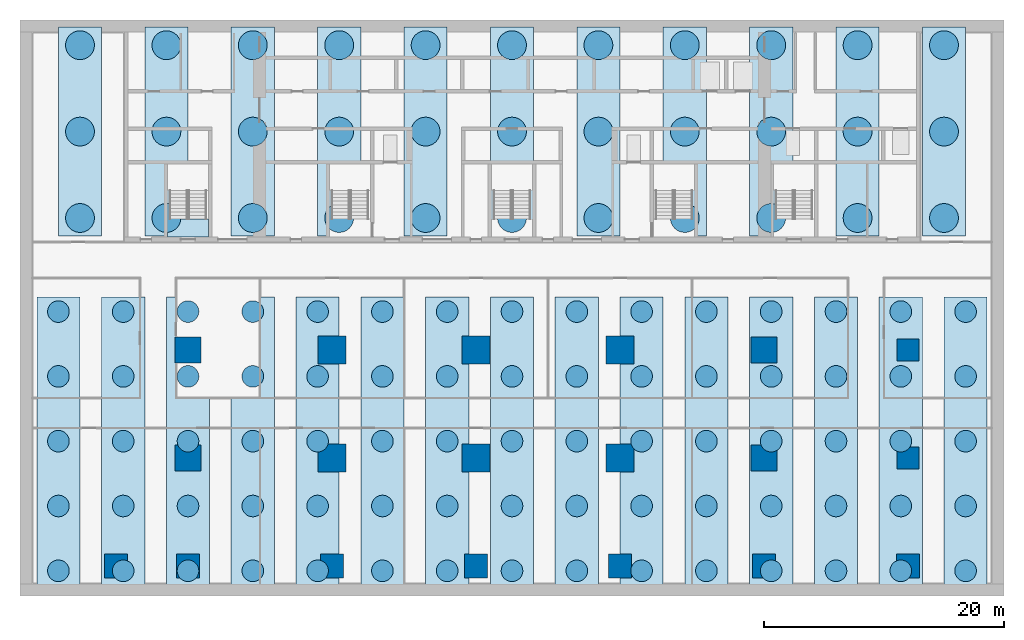
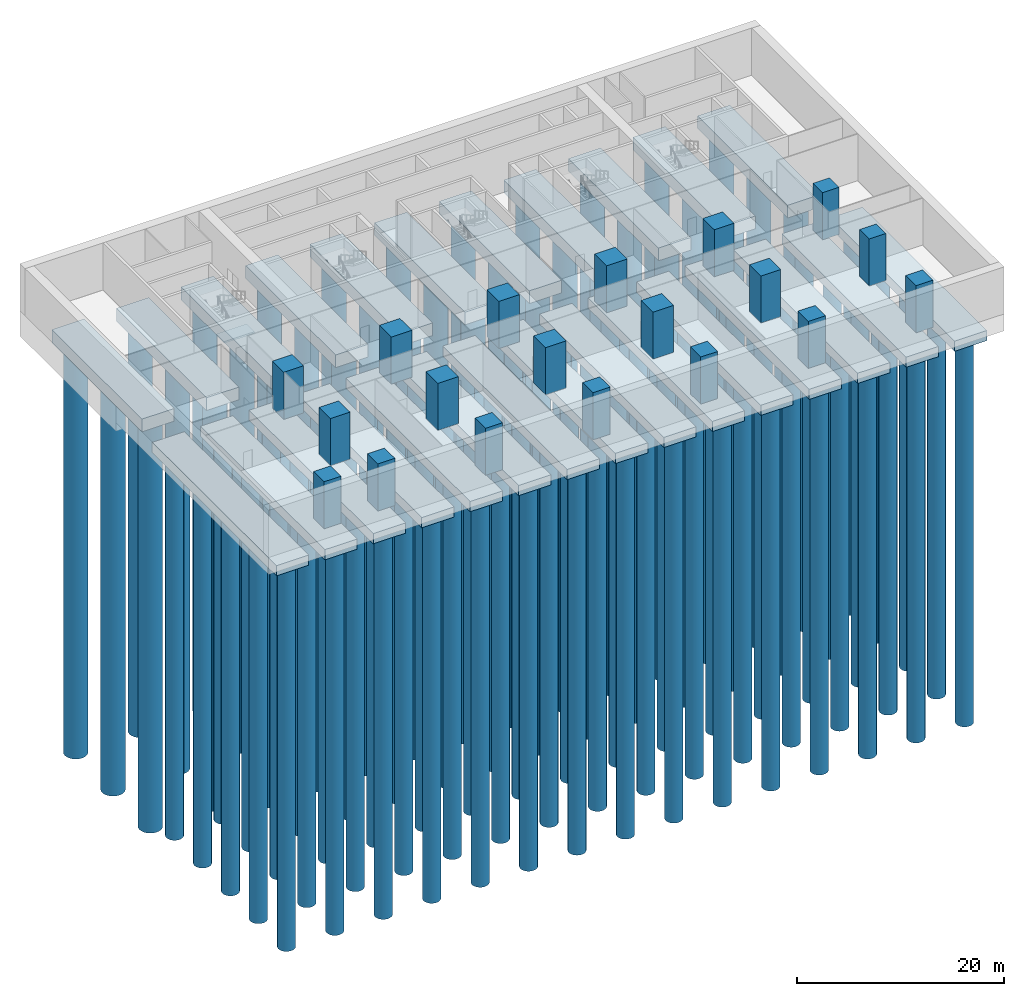
# One storey, part 1 of 11: 108 piles, 26 footings, 19 columns, 1 slab, 1 element without a shape of its own.
"""IFC4 building model written with IfcOpenShell, lengths in metres."""

from ifc_helpers import new_model, si_unit, direction, frame, origin, origin_2d, place, context, subcontext, project, spatial, polyline, rectangle, circle, outline, extrude, material, layer, layer_set, material_profile, profile_set, type_object, element, aggregate, save


model = new_model("IFC4")

# Units and contexts
model_context = context("Model", 3, precision=1e-05, world=origin(), true_north=direction((0.0, 1.0)))
body_context = subcontext(model_context, "Body", "Model", "MODEL_VIEW")
ifc_project = project(units=[si_unit("LENGTHUNIT", "METRE"), si_unit("AREAUNIT", "SQUARE_METRE"), si_unit("VOLUMEUNIT", "CUBIC_METRE"), si_unit("PLANEANGLEUNIT", "RADIAN"), si_unit("MASSUNIT", "GRAM", prefix="KILO")], contexts=[model_context])

# Site, building, storey
site_placement = place(None, origin())
site = spatial("IfcSite", under=ifc_project, at=site_placement, CompositionType="ELEMENT")
building_placement = place(site_placement, origin())
building = spatial("IfcBuilding", under=site, at=building_placement, Name="Calvaro Tower", CompositionType="ELEMENT")
storey_placement = place(building_placement, frame((0.0, 0.0, -12.0)))
storey = spatial("IfcBuildingStorey", under=building, at=storey_placement, Name="B2", CompositionType="ELEMENT", Elevation=-12.0)

# Piles
ifc_material_1 = material(Name="Concrete C32/40", Category="concrete")
ifc_material_profile_1 = material_profile(ifc_material_1, circle(Radius=0.89990234375, at=origin_2d()), Name="Bored pile D1800")
ifc_profile_set_1 = profile_set([ifc_material_profile_1], Name="Concrete C32/40")
pile_type_1 = type_object("IfcPileType", Name="Bored pile D1800 C32/40", PredefinedType="BORED", material=ifc_profile_set_1)
for number, where, z_axis, x_axis, name in (
    (1, (1.199951171875, 0.60009765625, -3.199951171875), (0.0, 0.0, -1.0), (1.0, 0.0, 0.0), "Pile D1800"),
    (2, (1.199951171875, 6.0, -3.199951171875), (0.0, 0.0, -1.0), (1.0, 0.0, 0.0), "Pile D1800"),
    (3, (1.199951171875, 11.39990234375, -3.199951171875), (0.0, 0.0, -1.0), (1.0, 0.0, 0.0), "Pile D1800"),
    (4, (1.199951171875, 16.800048828125, -3.199951171875), (0.0, 0.0, -1.0), (1.0, 0.0, 0.0), "Pile D1800"),
    (5, (1.199951171875, 22.199951171875, -3.199951171875), (0.0, 0.0, -1.0), (1.0, 0.0, 0.0), "Pile D1800"),
    (6, (6.60009765625, 0.60009765625, -3.199951171875), (0.0, 0.0, -1.0), (1.0, 0.0, 0.0), "Pile D1800"),
    (7, (6.60009765625, 6.0, -3.199951171875), (0.0, 0.0, -1.0), (1.0, 0.0, 0.0), "Pile D1800"),
    (8, (6.60009765625, 11.39990234375, -3.199951171875), (0.0, 0.0, -1.0), (1.0, 0.0, 0.0), "Pile D1800"),
    (9, (6.60009765625, 16.800048828125, -3.199951171875), (0.0, 0.0, -1.0), (1.0, 0.0, 0.0), "Pile D1800"),
    (10, (6.60009765625, 22.199951171875, -3.199951171875), (0.0, 0.0, -1.0), (1.0, 0.0, 0.0), "Pile D1800"),
    (11, (12.0, 0.60009765625, -3.199951171875), (0.0, 0.0, -1.0), (1.0, 0.0, 0.0), "Pile D1800"),
    (12, (12.0, 6.0, -3.199951171875), (0.0, 0.0, -1.0), (1.0, 0.0, 0.0), "Pile D1800"),
    (13, (12.0, 11.39990234375, -3.199951171875), (0.0, 0.0, -1.0), (1.0, 0.0, 0.0), "Pile D1800"),
    (14, (12.0, 16.800048828125, -3.199951171875), (0.0, 0.0, -1.0), (1.0, 0.0, 0.0), "Pile D1800"),
    (15, (12.0, 22.199951171875, -3.199951171875), (0.0, 0.0, -1.0), (1.0, 0.0, 0.0), "Pile D1800"),
    (16, (17.39990234375, 0.60009765625, -3.199951171875), (0.0, 0.0, -1.0), (1.0, 0.0, 0.0), "Pile D1800"),
    (17, (17.39990234375, 6.0, -3.199951171875), (0.0, 0.0, -1.0), (1.0, 0.0, 0.0), "Pile D1800"),
    (18, (17.39990234375, 11.39990234375, -3.199951171875), (0.0, 0.0, -1.0), (1.0, 0.0, 0.0), "Pile D1800"),
    (19, (17.39990234375, 16.800048828125, -3.199951171875), (0.0, 0.0, -1.0), (1.0, 0.0, 0.0), "Pile D1800"),
    (20, (17.39990234375, 22.199951171875, -3.199951171875), (0.0, 0.0, -1.0), (1.0, 0.0, 0.0), "Pile D1800"),
    (21, (22.800048828125, 0.60009765625, -3.199951171875), (0.0, 0.0, -1.0), (1.0, 0.0, 0.0), "Pile D1800"),
    (22, (22.800048828125, 6.0, -3.199951171875), (0.0, 0.0, -1.0), (1.0, 0.0, 0.0), "Pile D1800"),
    (23, (22.800048828125, 11.39990234375, -3.199951171875), (0.0, 0.0, -1.0), (1.0, 0.0, 0.0), "Pile D1800"),
    (24, (22.800048828125, 16.800048828125, -3.199951171875), (0.0, 0.0, -1.0), (1.0, 0.0, 0.0), "Pile D1800"),
    (25, (22.800048828125, 22.199951171875, -3.199951171875), (0.0, 0.0, -1.0), (1.0, 0.0, 0.0), "Pile D1800"),
    (26, (28.199951171875, 0.60009765625, -3.199951171875), (0.0, 0.0, -1.0), (1.0, 0.0, 0.0), "Pile D1800"),
    (27, (28.199951171875, 6.0, -3.199951171875), (0.0, 0.0, -1.0), (1.0, 0.0, 0.0), "Pile D1800"),
    (28, (28.199951171875, 11.39990234375, -3.199951171875), (0.0, 0.0, -1.0), (1.0, 0.0, 0.0), "Pile D1800"),
    (29, (28.199951171875, 16.800048828125, -3.199951171875), (0.0, 0.0, -1.0), (1.0, 0.0, 0.0), "Pile D1800"),
    (30, (28.199951171875, 22.199951171875, -3.199951171875), (0.0, 0.0, -1.0), (1.0, 0.0, 0.0), "Pile D1800"),
    (31, (33.60009765625, 0.60009765625, -3.199951171875), (0.0, 0.0, -1.0), (1.0, 0.0, 0.0), "Pile D1800"),
    (32, (33.60009765625, 6.0, -3.199951171875), (0.0, 0.0, -1.0), (1.0, 0.0, 0.0), "Pile D1800"),
    (33, (33.60009765625, 11.39990234375, -3.199951171875), (0.0, 0.0, -1.0), (1.0, 0.0, 0.0), "Pile D1800"),
    (34, (33.60009765625, 16.800048828125, -3.199951171875), (0.0, 0.0, -1.0), (1.0, 0.0, 0.0), "Pile D1800"),
    (35, (33.60009765625, 22.199951171875, -3.199951171875), (0.0, 0.0, -1.0), (1.0, 0.0, 0.0), "Pile D1800"),
    (36, (39.0, 0.60009765625, -3.199951171875), (0.0, 0.0, -1.0), (1.0, 0.0, 0.0), "Pile D1800"),
    (37, (39.0, 6.0, -3.199951171875), (0.0, 0.0, -1.0), (1.0, 0.0, 0.0), "Pile D1800"),
    (38, (39.0, 11.39990234375, -3.199951171875), (0.0, 0.0, -1.0), (1.0, 0.0, 0.0), "Pile D1800"),
    (39, (39.0, 16.800048828125, -3.199951171875), (0.0, 0.0, -1.0), (1.0, 0.0, 0.0), "Pile D1800"),
    (40, (39.0, 22.199951171875, -3.199951171875), (0.0, 0.0, -1.0), (1.0, 0.0, 0.0), "Pile D1800"),
    (41, (44.39990234375, 0.60009765625, -3.199951171875), (0.0, 0.0, -1.0), (1.0, 0.0, 0.0), "Pile D1800"),
    (42, (44.39990234375, 6.0, -3.199951171875), (0.0, 0.0, -1.0), (1.0, 0.0, 0.0), "Pile D1800"),
    (43, (44.39990234375, 11.39990234375, -3.199951171875), (0.0, 0.0, -1.0), (1.0, 0.0, 0.0), "Pile D1800"),
    (44, (44.39990234375, 16.800048828125, -3.199951171875), (0.0, 0.0, -1.0), (1.0, 0.0, 0.0), "Pile D1800"),
    (45, (44.39990234375, 22.199951171875, -3.199951171875), (0.0, 0.0, -1.0), (1.0, 0.0, 0.0), "Pile D1800"),
    (46, (49.800048828125, 0.60009765625, -3.199951171875), (0.0, 0.0, -1.0), (1.0, 0.0, 0.0), "Pile D1800"),
    (47, (49.800048828125, 6.0, -3.199951171875), (0.0, 0.0, -1.0), (1.0, 0.0, 0.0), "Pile D1800"),
    (48, (49.800048828125, 11.39990234375, -3.199951171875), (0.0, 0.0, -1.0), (1.0, 0.0, 0.0), "Pile D1800"),
    (49, (49.800048828125, 16.800048828125, -3.199951171875), (0.0, 0.0, -1.0), (1.0, 0.0, 0.0), "Pile D1800"),
    (50, (49.800048828125, 22.199951171875, -3.199951171875), (0.0, 0.0, -1.0), (1.0, 0.0, 0.0), "Pile D1800"),
    (51, (55.199951171875, 0.60009765625, -3.199951171875), (0.0, 0.0, -1.0), (1.0, 0.0, 0.0), "Pile D1800"),
    (52, (55.199951171875, 6.0, -3.199951171875), (0.0, 0.0, -1.0), (1.0, 0.0, 0.0), "Pile D1800"),
    (53, (55.199951171875, 11.39990234375, -3.199951171875), (0.0, 0.0, -1.0), (1.0, 0.0, 0.0), "Pile D1800"),
    (54, (55.199951171875, 16.800048828125, -3.199951171875), (0.0, 0.0, -1.0), (1.0, 0.0, 0.0), "Pile D1800"),
    (55, (55.199951171875, 22.199951171875, -3.199951171875), (0.0, 0.0, -1.0), (1.0, 0.0, 0.0), "Pile D1800"),
    (56, (60.60009765625, 0.60009765625, -3.199951171875), (0.0, 0.0, -1.0), (1.0, 0.0, 0.0), "Pile D1800"),
    (57, (60.60009765625, 6.0, -3.199951171875), (0.0, 0.0, -1.0), (1.0, 0.0, 0.0), "Pile D1800"),
    (58, (60.60009765625, 11.39990234375, -3.199951171875), (0.0, 0.0, -1.0), (1.0, 0.0, 0.0), "Pile D1800"),
    (59, (60.60009765625, 16.800048828125, -3.199951171875), (0.0, 0.0, -1.0), (1.0, 0.0, 0.0), "Pile D1800"),
    (60, (60.60009765625, 22.199951171875, -3.199951171875), (0.0, 0.0, -1.0), (1.0, 0.0, 0.0), "Pile D1800"),
    (61, (66.0, 0.60009765625, -3.199951171875), (0.0, 0.0, -1.0), (1.0, 0.0, 0.0), "Pile D1800"),
    (62, (66.0, 6.0, -3.199951171875), (0.0, 0.0, -1.0), (1.0, 0.0, 0.0), "Pile D1800"),
    (63, (66.0, 11.39990234375, -3.199951171875), (0.0, 0.0, -1.0), (1.0, 0.0, 0.0), "Pile D1800"),
    (64, (66.0, 16.800048828125, -3.199951171875), (0.0, 0.0, -1.0), (1.0, 0.0, 0.0), "Pile D1800"),
    (65, (66.0, 22.199951171875, -3.199951171875), (0.0, 0.0, -1.0), (1.0, 0.0, 0.0), "Pile D1800"),
    (66, (71.39990234375, 0.60009765625, -3.199951171875), (0.0, 0.0, -1.0), (1.0, 0.0, 0.0), "Pile D1800"),
    (67, (71.39990234375, 6.0, -3.199951171875), (0.0, 0.0, -1.0), (1.0, 0.0, 0.0), "Pile D1800"),
    (68, (71.39990234375, 11.39990234375, -3.199951171875), (0.0, 0.0, -1.0), (1.0, 0.0, 0.0), "Pile D1800"),
    (69, (71.39990234375, 16.800048828125, -3.199951171875), (0.0, 0.0, -1.0), (1.0, 0.0, 0.0), "Pile D1800"),
    (70, (71.39990234375, 22.199951171875, -3.199951171875), (0.0, 0.0, -1.0), (1.0, 0.0, 0.0), "Pile D1800"),
    (71, (76.800048828125, 0.60009765625, -3.199951171875), (0.0, 0.0, -1.0), (1.0, 0.0, 0.0), "Pile D1800"),
    (72, (76.800048828125, 6.0, -3.199951171875), (0.0, 0.0, -1.0), (1.0, 0.0, 0.0), "Pile D1800"),
    (73, (76.800048828125, 11.39990234375, -3.199951171875), (0.0, 0.0, -1.0), (1.0, 0.0, 0.0), "Pile D1800"),
    (74, (76.800048828125, 16.800048828125, -3.199951171875), (0.0, 0.0, -1.0), (1.0, 0.0, 0.0), "Pile D1800"),
    (75, (76.800048828125, 22.199951171875, -3.199951171875), (0.0, 0.0, -1.0), (1.0, 0.0, 0.0), "Pile D1800"),
):
    element("IfcPile", number, at=place(storey_placement, frame(where, z_axis=z_axis, x_axis=x_axis)), inside=storey, type_object=pile_type_1, Name=name, PredefinedType="BORED", context=body_context, shape_type="SweptSolid", body=[
        extrude(circle(Radius=0.89990234375, at=origin_2d()), origin(), (0.0, 0.0, 1.0), 45.0),
    ])
ifc_material_2 = material(Name="Concrete C32/40", Category="concrete")
ifc_material_profile_2 = material_profile(ifc_material_2, circle(Radius=1.199951171875, at=origin_2d()), Name="Bored pile D2400")
ifc_profile_set_2 = profile_set([ifc_material_profile_2], Name="Concrete C32/40")
pile_type_2 = type_object("IfcPileType", Name="Bored pile D2400 C32/40", PredefinedType="BORED", material=ifc_profile_set_2)
for number, where, z_axis, x_axis, name in (
    (76, (3.0, 30.0, -4.5), (0.0, 0.0, -1.0), (1.0, 0.0, 0.0), "Pile D2400"),
    (77, (3.0, 37.199951171875, -4.5), (0.0, 0.0, -1.0), (1.0, 0.0, 0.0), "Pile D2400"),
    (78, (3.0, 44.39990234375, -4.5), (0.0, 0.0, -1.0), (1.0, 0.0, 0.0), "Pile D2400"),
    (79, (10.199951171875, 30.0, -4.5), (0.0, 0.0, -1.0), (1.0, 0.0, 0.0), "Pile D2400"),
    (80, (10.199951171875, 37.199951171875, -4.5), (0.0, 0.0, -1.0), (1.0, 0.0, 0.0), "Pile D2400"),
    (81, (10.199951171875, 44.39990234375, -4.5), (0.0, 0.0, -1.0), (1.0, 0.0, 0.0), "Pile D2400"),
    (82, (17.39990234375, 30.0, -4.5), (0.0, 0.0, -1.0), (1.0, 0.0, 0.0), "Pile D2400"),
    (83, (17.39990234375, 37.199951171875, -4.5), (0.0, 0.0, -1.0), (1.0, 0.0, 0.0), "Pile D2400"),
    (84, (17.39990234375, 44.39990234375, -4.5), (0.0, 0.0, -1.0), (1.0, 0.0, 0.0), "Pile D2400"),
    (85, (24.60009765625, 30.0, -4.5), (0.0, 0.0, -1.0), (1.0, 0.0, 0.0), "Pile D2400"),
    (86, (24.60009765625, 37.199951171875, -4.5), (0.0, 0.0, -1.0), (1.0, 0.0, 0.0), "Pile D2400"),
    (87, (24.60009765625, 44.39990234375, -4.5), (0.0, 0.0, -1.0), (1.0, 0.0, 0.0), "Pile D2400"),
    (88, (31.800048828125, 30.0, -4.5), (0.0, 0.0, -1.0), (1.0, 0.0, 0.0), "Pile D2400"),
    (89, (31.800048828125, 37.199951171875, -4.5), (0.0, 0.0, -1.0), (1.0, 0.0, 0.0), "Pile D2400"),
    (90, (31.800048828125, 44.39990234375, -4.5), (0.0, 0.0, -1.0), (1.0, 0.0, 0.0), "Pile D2400"),
    (91, (39.0, 30.0, -4.5), (0.0, 0.0, -1.0), (1.0, 0.0, 0.0), "Pile D2400"),
    (92, (39.0, 37.199951171875, -4.5), (0.0, 0.0, -1.0), (1.0, 0.0, 0.0), "Pile D2400"),
    (93, (39.0, 44.39990234375, -4.5), (0.0, 0.0, -1.0), (1.0, 0.0, 0.0), "Pile D2400"),
    (94, (46.199951171875, 30.0, -4.5), (0.0, 0.0, -1.0), (1.0, 0.0, 0.0), "Pile D2400"),
    (95, (46.199951171875, 37.199951171875, -4.5), (0.0, 0.0, -1.0), (1.0, 0.0, 0.0), "Pile D2400"),
    (96, (46.199951171875, 44.39990234375, -4.5), (0.0, 0.0, -1.0), (1.0, 0.0, 0.0), "Pile D2400"),
    (97, (53.39990234375, 30.0, -4.5), (0.0, 0.0, -1.0), (1.0, 0.0, 0.0), "Pile D2400"),
    (98, (53.39990234375, 37.199951171875, -4.5), (0.0, 0.0, -1.0), (1.0, 0.0, 0.0), "Pile D2400"),
    (99, (53.39990234375, 44.39990234375, -4.5), (0.0, 0.0, -1.0), (1.0, 0.0, 0.0), "Pile D2400"),
    (100, (60.60009765625, 30.0, -4.5), (0.0, 0.0, -1.0), (1.0, 0.0, 0.0), "Pile D2400"),
    (101, (60.60009765625, 37.199951171875, -4.5), (0.0, 0.0, -1.0), (1.0, 0.0, 0.0), "Pile D2400"),
    (102, (60.60009765625, 44.39990234375, -4.5), (0.0, 0.0, -1.0), (1.0, 0.0, 0.0), "Pile D2400"),
    (103, (67.800048828125, 30.0, -4.5), (0.0, 0.0, -1.0), (1.0, 0.0, 0.0), "Pile D2400"),
    (104, (67.800048828125, 37.199951171875, -4.5), (0.0, 0.0, -1.0), (1.0, 0.0, 0.0), "Pile D2400"),
    (105, (67.800048828125, 44.39990234375, -4.5), (0.0, 0.0, -1.0), (1.0, 0.0, 0.0), "Pile D2400"),
    (106, (75.0, 30.0, -4.5), (0.0, 0.0, -1.0), (1.0, 0.0, 0.0), "Pile D2400"),
    (107, (75.0, 37.199951171875, -4.5), (0.0, 0.0, -1.0), (1.0, 0.0, 0.0), "Pile D2400"),
    (108, (75.0, 44.39990234375, -4.5), (0.0, 0.0, -1.0), (1.0, 0.0, 0.0), "Pile D2400"),
):
    element("IfcPile", number, at=place(storey_placement, frame(where, z_axis=z_axis, x_axis=x_axis)), inside=storey, type_object=pile_type_2, Name=name, PredefinedType="BORED", context=body_context, shape_type="SweptSolid", body=[
        extrude(circle(Radius=1.199951171875, at=origin_2d()), origin(), (0.0, 0.0, 1.0), 48.0),
    ])

# Footings
ifc_material_3 = material(Name="Concrete C32/40", Category="concrete")
ifc_layer_1 = layer(ifc_material_3, 1.199951171875)
ifc_layer_set_1 = layer_set([ifc_layer_1], Name="Concrete C32/40")
footing_type_1 = type_object("IfcFootingType", Name="Pile cap 1200 C32/40", PredefinedType="PILE_CAP", material=ifc_layer_set_1)
footing_1_placement = place(storey_placement, frame((0.0, 0.0, -3.199951171875)))
element("IfcFooting", 109, at=footing_1_placement, inside=storey, type_object=footing_type_1, Name="Pile cap", PredefinedType="PILE_CAP", context=body_context, shape_type="SweptSolid", body=[
    extrude(outline(polyline([(-0.60009765625, -0.60009765625), (3.0, -0.60009765625), (3.0, 23.39990234375), (-0.60009765625, 23.39990234375), (-0.60009765625, -0.60009765625)])), origin(), (0.0, 0.0, 1.0), 1.199951171875),
])
footing_2_placement = place(storey_placement, frame((0.0, 0.0, -3.199951171875)))
element("IfcFooting", 110, at=footing_2_placement, inside=storey, type_object=footing_type_1, Name="Pile cap", PredefinedType="PILE_CAP", context=body_context, shape_type="SweptSolid", body=[
    extrude(outline(polyline([(4.800048828125, -0.60009765625), (8.39990234375, -0.60009765625), (8.39990234375, 23.39990234375), (4.800048828125, 23.39990234375), (4.800048828125, -0.60009765625)])), origin(), (0.0, 0.0, 1.0), 1.199951171875),
])
footing_3_placement = place(storey_placement, frame((0.0, 0.0, -3.199951171875)))
element("IfcFooting", 111, at=footing_3_placement, inside=storey, type_object=footing_type_1, Name="Pile cap", PredefinedType="PILE_CAP", context=body_context, shape_type="SweptSolid", body=[
    extrude(outline(polyline([(10.199951171875, -0.60009765625), (13.800048828125, -0.60009765625), (13.800048828125, 23.39990234375), (10.199951171875, 23.39990234375), (10.199951171875, -0.60009765625)])), origin(), (0.0, 0.0, 1.0), 1.199951171875),
])
footing_4_placement = place(storey_placement, frame((0.0, 0.0, -3.199951171875)))
element("IfcFooting", 112, at=footing_4_placement, inside=storey, type_object=footing_type_1, Name="Pile cap", PredefinedType="PILE_CAP", context=body_context, shape_type="SweptSolid", body=[
    extrude(outline(polyline([(15.60009765625, -0.60009765625), (19.199951171875, -0.60009765625), (19.199951171875, 23.39990234375), (15.60009765625, 23.39990234375), (15.60009765625, -0.60009765625)])), origin(), (0.0, 0.0, 1.0), 1.199951171875),
])
footing_5_placement = place(storey_placement, frame((0.0, 0.0, -3.199951171875)))
element("IfcFooting", 113, at=footing_5_placement, inside=storey, type_object=footing_type_1, Name="Pile cap", PredefinedType="PILE_CAP", context=body_context, shape_type="SweptSolid", body=[
    extrude(outline(polyline([(21.0, -0.60009765625), (24.60009765625, -0.60009765625), (24.60009765625, 23.39990234375), (21.0, 23.39990234375), (21.0, -0.60009765625)])), origin(), (0.0, 0.0, 1.0), 1.199951171875),
])
footing_6_placement = place(storey_placement, frame((0.0, 0.0, -3.199951171875)))
element("IfcFooting", 114, at=footing_6_placement, inside=storey, type_object=footing_type_1, Name="Pile cap", PredefinedType="PILE_CAP", context=body_context, shape_type="SweptSolid", body=[
    extrude(outline(polyline([(26.39990234375, -0.60009765625), (30.0, -0.60009765625), (30.0, 23.39990234375), (26.39990234375, 23.39990234375), (26.39990234375, -0.60009765625)])), origin(), (0.0, 0.0, 1.0), 1.199951171875),
])
footing_7_placement = place(storey_placement, frame((0.0, 0.0, -3.199951171875)))
element("IfcFooting", 115, at=footing_7_placement, inside=storey, type_object=footing_type_1, Name="Pile cap", PredefinedType="PILE_CAP", context=body_context, shape_type="SweptSolid", body=[
    extrude(outline(polyline([(31.800048828125, -0.60009765625), (35.39990234375, -0.60009765625), (35.39990234375, 23.39990234375), (31.800048828125, 23.39990234375), (31.800048828125, -0.60009765625)])), origin(), (0.0, 0.0, 1.0), 1.199951171875),
])
footing_8_placement = place(storey_placement, frame((0.0, 0.0, -3.199951171875)))
element("IfcFooting", 116, at=footing_8_placement, inside=storey, type_object=footing_type_1, Name="Pile cap", PredefinedType="PILE_CAP", context=body_context, shape_type="SweptSolid", body=[
    extrude(outline(polyline([(37.199951171875, -0.60009765625), (40.800048828125, -0.60009765625), (40.800048828125, 23.39990234375), (37.199951171875, 23.39990234375), (37.199951171875, -0.60009765625)])), origin(), (0.0, 0.0, 1.0), 1.199951171875),
])
footing_9_placement = place(storey_placement, frame((0.0, 0.0, -3.199951171875)))
element("IfcFooting", 117, at=footing_9_placement, inside=storey, type_object=footing_type_1, Name="Pile cap", PredefinedType="PILE_CAP", context=body_context, shape_type="SweptSolid", body=[
    extrude(outline(polyline([(42.60009765625, -0.60009765625), (46.199951171875, -0.60009765625), (46.199951171875, 23.39990234375), (42.60009765625, 23.39990234375), (42.60009765625, -0.60009765625)])), origin(), (0.0, 0.0, 1.0), 1.199951171875),
])
footing_10_placement = place(storey_placement, frame((0.0, 0.0, -3.199951171875)))
element("IfcFooting", 118, at=footing_10_placement, inside=storey, type_object=footing_type_1, Name="Pile cap", PredefinedType="PILE_CAP", context=body_context, shape_type="SweptSolid", body=[
    extrude(outline(polyline([(48.0, -0.60009765625), (51.60009765625, -0.60009765625), (51.60009765625, 23.39990234375), (48.0, 23.39990234375), (48.0, -0.60009765625)])), origin(), (0.0, 0.0, 1.0), 1.199951171875),
])
footing_11_placement = place(storey_placement, frame((0.0, 0.0, -3.199951171875)))
element("IfcFooting", 119, at=footing_11_placement, inside=storey, type_object=footing_type_1, Name="Pile cap", PredefinedType="PILE_CAP", context=body_context, shape_type="SweptSolid", body=[
    extrude(outline(polyline([(53.39990234375, -0.60009765625), (57.0, -0.60009765625), (57.0, 23.39990234375), (53.39990234375, 23.39990234375), (53.39990234375, -0.60009765625)])), origin(), (0.0, 0.0, 1.0), 1.199951171875),
])
footing_12_placement = place(storey_placement, frame((0.0, 0.0, -3.199951171875)))
element("IfcFooting", 120, at=footing_12_placement, inside=storey, type_object=footing_type_1, Name="Pile cap", PredefinedType="PILE_CAP", context=body_context, shape_type="SweptSolid", body=[
    extrude(outline(polyline([(58.800048828125, -0.60009765625), (62.39990234375, -0.60009765625), (62.39990234375, 23.39990234375), (58.800048828125, 23.39990234375), (58.800048828125, -0.60009765625)])), origin(), (0.0, 0.0, 1.0), 1.199951171875),
])
footing_13_placement = place(storey_placement, frame((0.0, 0.0, -3.199951171875)))
element("IfcFooting", 121, at=footing_13_placement, inside=storey, type_object=footing_type_1, Name="Pile cap", PredefinedType="PILE_CAP", context=body_context, shape_type="SweptSolid", body=[
    extrude(outline(polyline([(64.199951171875, -0.60009765625), (67.800048828125, -0.60009765625), (67.800048828125, 23.39990234375), (64.199951171875, 23.39990234375), (64.199951171875, -0.60009765625)])), origin(), (0.0, 0.0, 1.0), 1.199951171875),
])
footing_14_placement = place(storey_placement, frame((0.0, 0.0, -3.199951171875)))
element("IfcFooting", 122, at=footing_14_placement, inside=storey, type_object=footing_type_1, Name="Pile cap", PredefinedType="PILE_CAP", context=body_context, shape_type="SweptSolid", body=[
    extrude(outline(polyline([(69.60009765625, -0.60009765625), (73.199951171875, -0.60009765625), (73.199951171875, 23.39990234375), (69.60009765625, 23.39990234375), (69.60009765625, -0.60009765625)])), origin(), (0.0, 0.0, 1.0), 1.199951171875),
])
footing_15_placement = place(storey_placement, frame((0.0, 0.0, -3.199951171875)))
element("IfcFooting", 123, at=footing_15_placement, inside=storey, type_object=footing_type_1, Name="Pile cap", PredefinedType="PILE_CAP", context=body_context, shape_type="SweptSolid", body=[
    extrude(outline(polyline([(75.0, -0.60009765625), (78.60009765625, -0.60009765625), (78.60009765625, 23.39990234375), (75.0, 23.39990234375), (75.0, -0.60009765625)])), origin(), (0.0, 0.0, 1.0), 1.199951171875),
])
ifc_material_4 = material(Name="Concrete C32/40", Category="concrete")
ifc_layer_2 = layer(ifc_material_4, 1.5)
ifc_layer_set_2 = layer_set([ifc_layer_2], Name="Concrete C32/40")
footing_type_2 = type_object("IfcFootingType", Name="Pile cap 1500 C32/40", PredefinedType="PILE_CAP", material=ifc_layer_set_2)
footing_16_placement = place(storey_placement, frame((0.0, 0.0, -4.5)))
element("IfcFooting", 124, at=footing_16_placement, inside=storey, type_object=footing_type_2, Name="Pile cap", PredefinedType="PILE_CAP", context=body_context, shape_type="SweptSolid", body=[
    extrude(outline(polyline([(1.199951171875, 28.5), (4.800048828125, 28.5), (4.800048828125, 45.89990234375), (1.199951171875, 45.89990234375), (1.199951171875, 28.5)])), origin(), (0.0, 0.0, 1.0), 1.5),
])
footing_17_placement = place(storey_placement, frame((0.0, 0.0, -4.5)))
element("IfcFooting", 125, at=footing_17_placement, inside=storey, type_object=footing_type_2, Name="Pile cap", PredefinedType="PILE_CAP", context=body_context, shape_type="SweptSolid", body=[
    extrude(outline(polyline([(8.39990234375, 28.5), (12.0, 28.5), (12.0, 45.89990234375), (8.39990234375, 45.89990234375), (8.39990234375, 28.5)])), origin(), (0.0, 0.0, 1.0), 1.5),
])
footing_18_placement = place(storey_placement, frame((0.0, 0.0, -4.5)))
element("IfcFooting", 126, at=footing_18_placement, inside=storey, type_object=footing_type_2, Name="Pile cap", PredefinedType="PILE_CAP", context=body_context, shape_type="SweptSolid", body=[
    extrude(outline(polyline([(15.60009765625, 28.5), (19.199951171875, 28.5), (19.199951171875, 45.89990234375), (15.60009765625, 45.89990234375), (15.60009765625, 28.5)])), origin(), (0.0, 0.0, 1.0), 1.5),
])
footing_19_placement = place(storey_placement, frame((0.0, 0.0, -4.5)))
element("IfcFooting", 127, at=footing_19_placement, inside=storey, type_object=footing_type_2, Name="Pile cap", PredefinedType="PILE_CAP", context=body_context, shape_type="SweptSolid", body=[
    extrude(outline(polyline([(22.800048828125, 28.5), (26.39990234375, 28.5), (26.39990234375, 45.89990234375), (22.800048828125, 45.89990234375), (22.800048828125, 28.5)])), origin(), (0.0, 0.0, 1.0), 1.5),
])
footing_20_placement = place(storey_placement, frame((0.0, 0.0, -4.5)))
element("IfcFooting", 128, at=footing_20_placement, inside=storey, type_object=footing_type_2, Name="Pile cap", PredefinedType="PILE_CAP", context=body_context, shape_type="SweptSolid", body=[
    extrude(outline(polyline([(30.0, 28.5), (33.60009765625, 28.5), (33.60009765625, 45.89990234375), (30.0, 45.89990234375), (30.0, 28.5)])), origin(), (0.0, 0.0, 1.0), 1.5),
])
footing_21_placement = place(storey_placement, frame((0.0, 0.0, -4.5)))
element("IfcFooting", 129, at=footing_21_placement, inside=storey, type_object=footing_type_2, Name="Pile cap", PredefinedType="PILE_CAP", context=body_context, shape_type="SweptSolid", body=[
    extrude(outline(polyline([(37.199951171875, 28.5), (40.800048828125, 28.5), (40.800048828125, 45.89990234375), (37.199951171875, 45.89990234375), (37.199951171875, 28.5)])), origin(), (0.0, 0.0, 1.0), 1.5),
])
footing_22_placement = place(storey_placement, frame((0.0, 0.0, -4.5)))
element("IfcFooting", 130, at=footing_22_placement, inside=storey, type_object=footing_type_2, Name="Pile cap", PredefinedType="PILE_CAP", context=body_context, shape_type="SweptSolid", body=[
    extrude(outline(polyline([(44.39990234375, 28.5), (48.0, 28.5), (48.0, 45.89990234375), (44.39990234375, 45.89990234375), (44.39990234375, 28.5)])), origin(), (0.0, 0.0, 1.0), 1.5),
])
footing_23_placement = place(storey_placement, frame((0.0, 0.0, -4.5)))
element("IfcFooting", 131, at=footing_23_placement, inside=storey, type_object=footing_type_2, Name="Pile cap", PredefinedType="PILE_CAP", context=body_context, shape_type="SweptSolid", body=[
    extrude(outline(polyline([(51.60009765625, 28.5), (55.199951171875, 28.5), (55.199951171875, 45.89990234375), (51.60009765625, 45.89990234375), (51.60009765625, 28.5)])), origin(), (0.0, 0.0, 1.0), 1.5),
])
footing_24_placement = place(storey_placement, frame((0.0, 0.0, -4.5)))
element("IfcFooting", 132, at=footing_24_placement, inside=storey, type_object=footing_type_2, Name="Pile cap", PredefinedType="PILE_CAP", context=body_context, shape_type="SweptSolid", body=[
    extrude(outline(polyline([(58.800048828125, 28.5), (62.39990234375, 28.5), (62.39990234375, 45.89990234375), (58.800048828125, 45.89990234375), (58.800048828125, 28.5)])), origin(), (0.0, 0.0, 1.0), 1.5),
])
footing_25_placement = place(storey_placement, frame((0.0, 0.0, -4.5)))
element("IfcFooting", 133, at=footing_25_placement, inside=storey, type_object=footing_type_2, Name="Pile cap", PredefinedType="PILE_CAP", context=body_context, shape_type="SweptSolid", body=[
    extrude(outline(polyline([(66.0, 28.5), (69.60009765625, 28.5), (69.60009765625, 45.89990234375), (66.0, 45.89990234375), (66.0, 28.5)])), origin(), (0.0, 0.0, 1.0), 1.5),
])
footing_26_placement = place(storey_placement, frame((0.0, 0.0, -4.5)))
element("IfcFooting", 134, at=footing_26_placement, inside=storey, type_object=footing_type_2, Name="Pile cap", PredefinedType="PILE_CAP", context=body_context, shape_type="SweptSolid", body=[
    extrude(outline(polyline([(73.199951171875, 28.5), (76.800048828125, 28.5), (76.800048828125, 45.89990234375), (73.199951171875, 45.89990234375), (73.199951171875, 28.5)])), origin(), (0.0, 0.0, 1.0), 1.5),
])

# Columns
ifc_material_5 = material(Name="Concrete C80/95", Category="concrete")
ifc_material_profile_3 = material_profile(ifc_material_5, rectangle(XDim=1.85009765625, YDim=1.85009765625, at=origin_2d()), Name="RC 1850x1850")
ifc_profile_set_3 = profile_set([ifc_material_profile_3], Name="Concrete C80/95")
column_type_1 = type_object("IfcColumnType", Name="Mega-column 1850x1850 C80/95", PredefinedType="COLUMN", material=ifc_profile_set_3)
for number, where, z_axis, x_axis, name in (
    (135, (72.0, 10.0, 0.0), (0.0, 0.0, 1.0), (1.0, 0.0, 0.0), "Mega-column 13B"),
    (136, (72.0, 19.0, 0.0), (0.0, 0.0, 1.0), (1.0, 0.0, 0.0), "Mega-column 13C"),
):
    element("IfcColumn", number, at=place(storey_placement, frame(where, z_axis=z_axis, x_axis=x_axis)), inside=storey, type_object=column_type_1, Name=name, PredefinedType="COLUMN", context=body_context, shape_type="SweptSolid", body=[
        extrude(rectangle(XDim=1.85009765625, YDim=1.85009765625, at=origin_2d()), origin(), (0.0, 0.0, 1.0), 5.550048828125),
    ])
ifc_material_6 = material(Name="Concrete C80/95", Category="concrete")
ifc_material_profile_4 = material_profile(ifc_material_6, rectangle(XDim=2.199951171875, YDim=2.199951171875, at=origin_2d()), Name="RC 2200x2200")
ifc_profile_set_4 = profile_set([ifc_material_profile_4], Name="Concrete C80/95")
column_type_2 = type_object("IfcColumnType", Name="Mega-column 2200x2200 C80/95", PredefinedType="COLUMN", material=ifc_profile_set_4)
for number, where, z_axis, x_axis, name in (
    (137, (12.0, 10.0, 0.0), (0.0, 0.0, 1.0), (1.0, 0.0, 0.0), "Mega-column 3B"),
    (138, (12.0, 19.0, 0.0), (0.0, 0.0, 1.0), (1.0, 0.0, 0.0), "Mega-column 3C"),
    (139, (60.0, 10.0, 0.0), (0.0, 0.0, 1.0), (1.0, 0.0, 0.0), "Mega-column 11B"),
    (140, (60.0, 19.0, 0.0), (0.0, 0.0, 1.0), (1.0, 0.0, 0.0), "Mega-column 11C"),
):
    element("IfcColumn", number, at=place(storey_placement, frame(where, z_axis=z_axis, x_axis=x_axis)), inside=storey, type_object=column_type_2, Name=name, PredefinedType="COLUMN", context=body_context, shape_type="SweptSolid", body=[
        extrude(rectangle(XDim=2.199951171875, YDim=2.199951171875, at=origin_2d()), origin(), (0.0, 0.0, 1.0), 5.550048828125),
    ])
ifc_material_7 = material(Name="Concrete C80/95", Category="concrete")
ifc_material_profile_5 = material_profile(ifc_material_7, rectangle(XDim=2.300048828125, YDim=2.300048828125, at=origin_2d()), Name="RC 2300x2300")
ifc_profile_set_5 = profile_set([ifc_material_profile_5], Name="Concrete C80/95")
column_type_3 = type_object("IfcColumnType", Name="Mega-column 2300x2300 C80/95", PredefinedType="COLUMN", material=ifc_profile_set_5)
for number, where, z_axis, x_axis, name in (
    (141, (24.0, 10.0, 0.0), (0.0, 0.0, 1.0), (1.0, 0.0, 0.0), "Mega-column 5B"),
    (142, (24.0, 19.0, 0.0), (0.0, 0.0, 1.0), (1.0, 0.0, 0.0), "Mega-column 5C"),
    (143, (36.0, 10.0, 0.0), (0.0, 0.0, 1.0), (1.0, 0.0, 0.0), "Mega-column 7B"),
    (144, (36.0, 19.0, 0.0), (0.0, 0.0, 1.0), (1.0, 0.0, 0.0), "Mega-column 7C"),
    (145, (48.0, 10.0, 0.0), (0.0, 0.0, 1.0), (1.0, 0.0, 0.0), "Mega-column 9B"),
    (146, (48.0, 19.0, 0.0), (0.0, 0.0, 1.0), (1.0, 0.0, 0.0), "Mega-column 9C"),
):
    element("IfcColumn", number, at=place(storey_placement, frame(where, z_axis=z_axis, x_axis=x_axis)), inside=storey, type_object=column_type_3, Name=name, PredefinedType="COLUMN", context=body_context, shape_type="SweptSolid", body=[
        extrude(rectangle(XDim=2.300048828125, YDim=2.300048828125, at=origin_2d()), origin(), (0.0, 0.0, 1.0), 5.550048828125),
    ])
ifc_material_8 = material(Name="Concrete C80/95", Category="concrete")
ifc_material_profile_6 = material_profile(ifc_material_8, rectangle(XDim=1.89990234375, YDim=2.0, at=origin_2d()), Name="RC 1900x2000")
ifc_profile_set_6 = profile_set([ifc_material_profile_6], Name="Concrete C80/95")
column_type_4 = type_object("IfcColumnType", Name="Pier 1900x2000 C80/95", PredefinedType="COLUMN", material=ifc_profile_set_6)
for number, where, z_axis, x_axis, name in (
    (147, (6.0, 1.0, 0.0), (0.0, 0.0, 1.0), (1.0, 0.0, 0.0), "South pier 2"),
    (148, (12.0, 1.0, 0.0), (0.0, 0.0, 1.0), (1.0, 0.0, 0.0), "South pier 3"),
    (149, (24.0, 1.0, 0.0), (0.0, 0.0, 1.0), (1.0, 0.0, 0.0), "South pier 5"),
    (150, (36.0, 1.0, 0.0), (0.0, 0.0, 1.0), (1.0, 0.0, 0.0), "South pier 7"),
    (151, (48.0, 1.0, 0.0), (0.0, 0.0, 1.0), (1.0, 0.0, 0.0), "South pier 9"),
    (152, (60.0, 1.0, 0.0), (0.0, 0.0, 1.0), (1.0, 0.0, 0.0), "South pier 11"),
    (153, (72.0, 1.0, 0.0), (0.0, 0.0, 1.0), (1.0, 0.0, 0.0), "South pier 13"),
):
    element("IfcColumn", number, at=place(storey_placement, frame(where, z_axis=z_axis, x_axis=x_axis)), inside=storey, type_object=column_type_4, Name=name, PredefinedType="COLUMN", context=body_context, shape_type="SweptSolid", body=[
        extrude(rectangle(XDim=1.89990234375, YDim=2.0, at=origin_2d()), origin(), (0.0, 0.0, 1.0), 5.550048828125),
    ])

# Stair, slab
ifc_material_9 = material(Name="Concrete C40/50", Category="concrete")
stair_type = type_object("IfcStairType", Name="Exit stair 1400 4 flights", PredefinedType="DOUBLE_RETURN_STAIR", material=ifc_material_9)
stair_placement = place(storey_placement, origin())
stair = element("IfcStair", 154, at=stair_placement, inside=storey, type_object=stair_type, Name="Exit stair S1", PredefinedType="DOUBLE_RETURN_STAIR")
ifc_material_10 = material(Name="Concrete C40/50", Category="concrete")
ifc_layer_3 = layer(ifc_material_10, 0.199951171875)
ifc_layer_set_3 = layer_set([ifc_layer_3], Name="Concrete C40/50")
slab_type = type_object("IfcSlabType", Name="Stair landing", PredefinedType="LANDING", material=ifc_layer_set_3)
slab_placement = place(storey_placement, frame((0.0, 0.0, 2.800048828125)))
slab = element("IfcSlab", 155, at=slab_placement, type_object=slab_type, Name="Exit stair 1, landing 2", PredefinedType="LANDING", context=body_context, shape_type="SweptSolid", body=[
    extrude(outline(polyline([(13.699951171875, 29.909912109375), (13.699951171875, 28.39990234375), (10.300048828125, 28.39990234375), (10.300048828125, 29.909912109375), (10.5, 29.909912109375), (11.89990234375, 29.909912109375), (13.699951171875, 29.909912109375)])), origin(), (0.0, 0.0, 1.0), 0.199951171875),
])
aggregate(stair, [slab])

save(model, "model.ifc")
